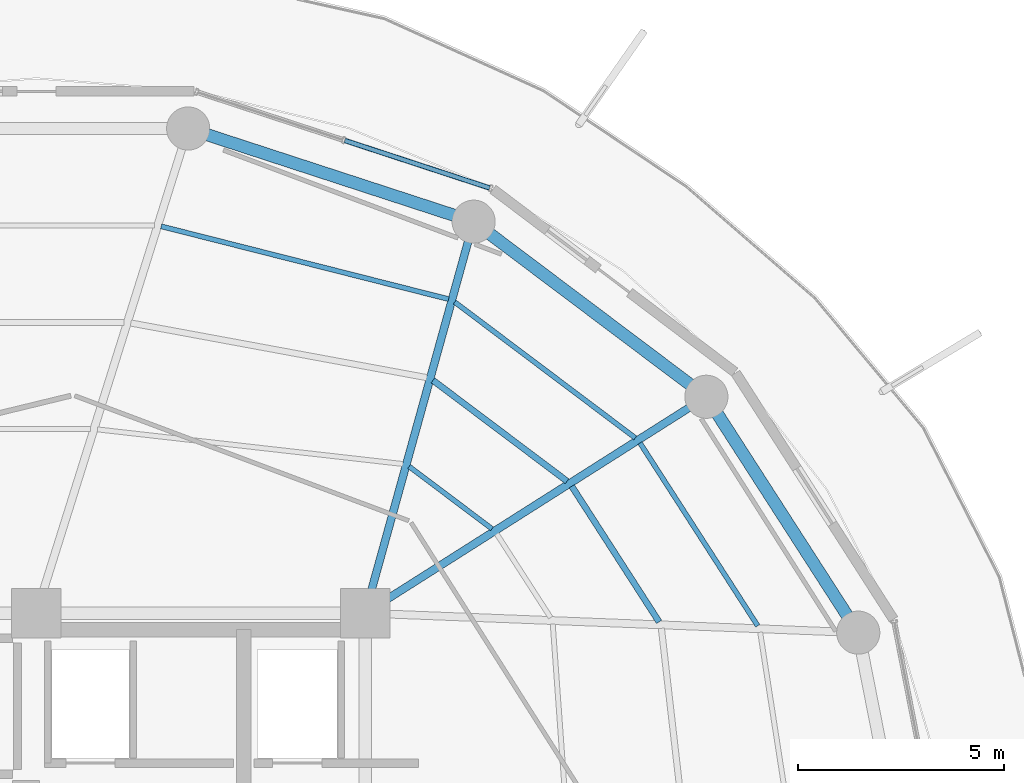
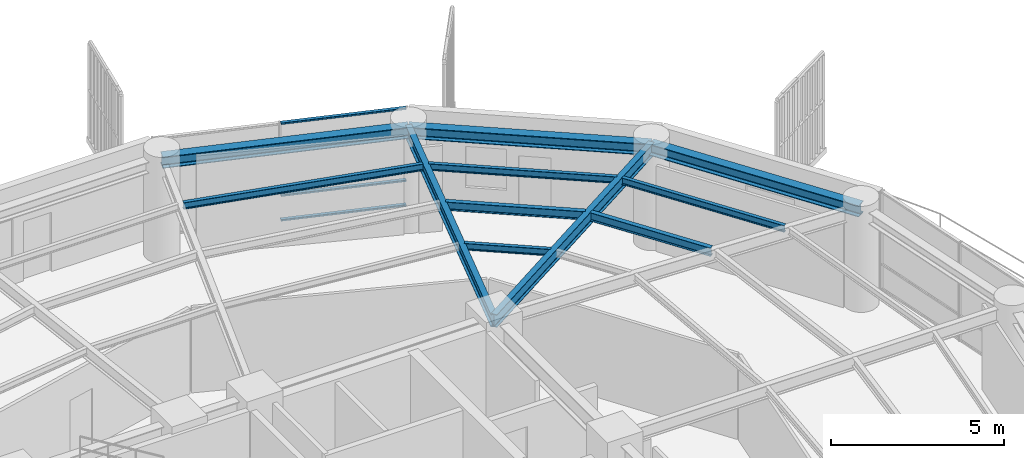
# One storey, part 20 of 30: 11 beams, 3 members, 1 element without a shape of its own.
"""IFC4 building model written with IfcOpenShell, lengths in metres."""

from ifc_helpers import new_model, si_unit, direction, frame, origin, origin_2d, place, context, subcontext, project, spatial, hollow_rectangle, i_section, extrude, material, layer, layer_set, material_profile, profile_set, type_object, element, aggregate, save


model = new_model("IFC4")

# Units and contexts
model_context = context("Model", 3, precision=1e-05, world=origin(), true_north=direction((0.0, 1.0)))
body_context = subcontext(model_context, "Body", "Model", "MODEL_VIEW")
ifc_project = project(units=[si_unit("LENGTHUNIT", "METRE"), si_unit("AREAUNIT", "SQUARE_METRE"), si_unit("VOLUMEUNIT", "CUBIC_METRE"), si_unit("PLANEANGLEUNIT", "RADIAN"), si_unit("MASSUNIT", "GRAM", prefix="KILO")], contexts=[model_context])

# Site, building, storey
site_placement = place(None, origin())
site = spatial("IfcSite", under=ifc_project, at=site_placement, CompositionType="ELEMENT")
building_placement = place(site_placement, origin())
building = spatial("IfcBuilding", under=site, at=building_placement, Name="Kelanora Arch Commons", CompositionType="ELEMENT")
storey_placement = place(building_placement, frame((0.0, 0.0, 215.699951171875)))
storey = spatial("IfcBuildingStorey", under=building, at=storey_placement, Name="L55", CompositionType="ELEMENT", Elevation=215.699951171875)

# Beams
ifc_material_1 = material(Name="Steel S355", Category="steel")
ifc_material_profile_1 = material_profile(ifc_material_1, i_section(OverallWidth=0.14990234375, OverallDepth=0.300048828125, WebThickness=0.007080078125, FlangeThickness=0.0107421875, FilletRadius=0.014892578125, at=origin_2d()), Name="IPE300")
ifc_profile_set_1 = profile_set([ifc_material_profile_1], Name="Steel S355")
beam_type_1 = type_object("IfcBeamType", Name="BM-JST-01", PredefinedType="JOIST", material=ifc_profile_set_1)
beam_1_placement = place(storey_placement, frame((89.152099609375, 64.786865234375, 3.340087890625), z_axis=(-0.541411265892, 0.840757896879, 0.0), x_axis=(-0.840757896879, -0.541411265892, 0.0)))
element("IfcBeam", 1, at=beam_1_placement, inside=storey, type_object=beam_type_1, Name="Secondary Chord Joist BJB-02 L55", PredefinedType="JOIST", context=body_context, shape_type="SweptSolid", body=[
    extrude(i_section(OverallWidth=0.14990234375, OverallDepth=0.300048828125, WebThickness=0.007080078125, FlangeThickness=0.0107421875, FilletRadius=0.014892578125, at=origin_2d()), origin(), (0.0, 0.0, 1.0), 3.92529296875),
])
beam_2_placement = place(storey_placement, frame((86.912841796875, 68.209716796875, 3.340087890625), z_axis=(-0.799101708656, 0.601195857624, 0.0), x_axis=(-0.601195857624, -0.799101708656, 0.0)))
element("IfcBeam", 2, at=beam_2_placement, inside=storey, type_object=beam_type_1, Name="Secondary Chord Joist BJB-04 L55", PredefinedType="JOIST", context=body_context, shape_type="SweptSolid", body=[
    extrude(i_section(OverallWidth=0.14990234375, OverallDepth=0.300048828125, WebThickness=0.007080078125, FlangeThickness=0.0107421875, FilletRadius=0.014892578125, at=origin_2d()), origin(), (0.0, 0.0, 1.0), 4.080810546875),
])
ifc_material_profile_2 = material_profile(ifc_material_1, i_section(OverallWidth=0.1201171875, OverallDepth=0.239990234375, WebThickness=0.006103515625, FlangeThickness=0.009765625, FilletRadius=0.014892578125, at=origin_2d()), Name="IPE240")
ifc_profile_set_2 = profile_set([ifc_material_profile_2], Name="Steel S355")
beam_type_2 = type_object("IfcBeamType", Name="BM-JST-02", PredefinedType="JOIST", material=ifc_profile_set_2)
beam_3_placement = place(storey_placement, frame((91.55126953125, 64.69189453125, 3.3701171875), z_axis=(-0.541382492679, 0.840776424872, 0.0), x_axis=(-0.840776424872, -0.541382492679, 0.0)))
element("IfcBeam", 3, at=beam_3_placement, inside=storey, type_object=beam_type_2, Name="Secondary Chord Joist BJC-02 L55", PredefinedType="JOIST", context=body_context, shape_type="SweptSolid", body=[
    extrude(i_section(OverallWidth=0.1201171875, OverallDepth=0.239990234375, WebThickness=0.006103515625, FlangeThickness=0.009765625, FilletRadius=0.014892578125, at=origin_2d()), origin(), (0.0, 0.0, 1.0), 5.29052734375),
])
beam_4_placement = place(storey_placement, frame((85.086669921875, 67.051513671875, 3.3701171875), z_axis=(-0.79911638933, 0.601176343766, 0.0), x_axis=(-0.601176343766, -0.79911638933, 0.0)))
element("IfcBeam", 4, at=beam_4_placement, inside=storey, type_object=beam_type_2, Name="Secondary Chord Joist BJA-04 L55", PredefinedType="JOIST", context=body_context, shape_type="SweptSolid", body=[
    extrude(i_section(OverallWidth=0.1201171875, OverallDepth=0.239990234375, WebThickness=0.006103515625, FlangeThickness=0.009765625, FilletRadius=0.014892578125, at=origin_2d()), origin(), (0.0, 0.0, 1.0), 2.522216796875),
])
beam_5_placement = place(storey_placement, frame((88.5732421875, 69.2626953125, 3.3701171875), z_axis=(-0.799109197935, 0.601185902842, 0.0), x_axis=(-0.601185902842, -0.799109197935, 0.0)))
element("IfcBeam", 5, at=beam_5_placement, inside=storey, type_object=beam_type_2, Name="Secondary Chord Joist BJC-04 L55", PredefinedType="JOIST", context=body_context, shape_type="SweptSolid", body=[
    extrude(i_section(OverallWidth=0.1201171875, OverallDepth=0.239990234375, WebThickness=0.006103515625, FlangeThickness=0.009765625, FilletRadius=0.014892578125, at=origin_2d()), origin(), (0.0, 0.0, 1.0), 5.497802734375),
])
beam_6_placement = place(storey_placement, frame((84.029541015625, 72.639892578125, 3.3701171875), z_axis=(-0.969370989998, 0.245601066263, 0.0), x_axis=(-0.245601066263, -0.969370989998, 0.0)))
element("IfcBeam", 6, at=beam_6_placement, inside=storey, type_object=beam_type_2, Name="Secondary Chord Joist BJC-06 L55", PredefinedType="JOIST", context=body_context, shape_type="SweptSolid", body=[
    extrude(i_section(OverallWidth=0.1201171875, OverallDepth=0.239990234375, WebThickness=0.006103515625, FlangeThickness=0.009765625, FilletRadius=0.014892578125, at=origin_2d()), origin(), (0.0, 0.0, 1.0), 7.2119140625),
])
ifc_material_profile_3 = material_profile(ifc_material_1, i_section(OverallWidth=0.18994140625, OverallDepth=0.449951171875, WebThickness=0.009521484375, FlangeThickness=0.0146484375, FilletRadius=0.02099609375, at=origin_2d()), Name="IPE450")
ifc_profile_set_3 = profile_set([ifc_material_profile_3], Name="Steel S355")
beam_type_3 = type_object("IfcBeamType", Name="BM-RAD-Z4", PredefinedType="BEAM", material=ifc_profile_set_3)
beam_7_placement = place(storey_placement, frame((82.0, 65.0, 3.26513671875), z_axis=(0.844507208607, 0.535544185489, 0.0), x_axis=(-0.535544185489, 0.844507208607, 0.0)))
element("IfcBeam", 7, at=beam_7_placement, inside=storey, type_object=beam_type_3, Name="Radial Floor Girder BR-04 L55", PredefinedType="BEAM", context=body_context, shape_type="SweptSolid", body=[
    extrude(i_section(OverallWidth=0.18994140625, OverallDepth=0.449951171875, WebThickness=0.009521484375, FlangeThickness=0.0146484375, FilletRadius=0.02099609375, at=origin_2d()), origin(), (0.0, 0.0, 1.0), 9.830078125),
])
beam_8_placement = place(storey_placement, frame((82.0, 65.0, 3.26513671875), z_axis=(0.267120164296, 0.963663228429, 0.0), x_axis=(-0.963663228429, 0.267120164296, 0.0)))
element("IfcBeam", 8, at=beam_8_placement, inside=storey, type_object=beam_type_3, Name="Radial Floor Girder BR-06 L55", PredefinedType="BEAM", context=body_context, shape_type="SweptSolid", body=[
    extrude(i_section(OverallWidth=0.18994140625, OverallDepth=0.449951171875, WebThickness=0.009521484375, FlangeThickness=0.0146484375, FilletRadius=0.02099609375, at=origin_2d()), origin(), (0.0, 0.0, 1.0), 9.8828125),
])
ifc_material_profile_4 = material_profile(ifc_material_1, i_section(OverallWidth=0.300048828125, OverallDepth=0.39990234375, WebThickness=0.013427734375, FlangeThickness=0.02392578125, FilletRadius=0.027099609375, at=origin_2d()), Name="HEB400")
ifc_profile_set_4 = profile_set([ifc_material_profile_4], Name="Steel S355")
beam_type_4 = type_object("IfcBeamType", Name="BM-SPN-Z4", PredefinedType="SPANDREL", material=ifc_profile_set_4)
beam_9_placement = place(storey_placement, frame((93.99658203125, 64.525634765625, 3.2900390625), z_axis=(-0.541364878868, 0.840787766281, 0.0), x_axis=(-0.840787766281, -0.541364878868, 0.0)))
element("IfcBeam", 9, at=beam_9_placement, inside=storey, type_object=beam_type_4, Name="Perimeter Spandrel Beam BS-02 L55", PredefinedType="SPANDREL", context=body_context, shape_type="SweptSolid", body=[
    extrude(i_section(OverallWidth=0.300048828125, OverallDepth=0.39990234375, WebThickness=0.013427734375, FlangeThickness=0.02392578125, FilletRadius=0.027099609375, at=origin_2d()), origin(), (0.0, 0.0, 1.0), 6.825439453125),
])
beam_10_placement = place(storey_placement, frame((90.301513671875, 70.264404296875, 3.2900390625), z_axis=(-0.799114211715, 0.60117923836, 0.0), x_axis=(-0.60117923836, -0.799114211715, 0.0)))
element("IfcBeam", 10, at=beam_10_placement, inside=storey, type_object=beam_type_4, Name="Perimeter Spandrel Beam BS-04 L55", PredefinedType="SPANDREL", context=body_context, shape_type="SweptSolid", body=[
    extrude(i_section(OverallWidth=0.300048828125, OverallDepth=0.39990234375, WebThickness=0.013427734375, FlangeThickness=0.02392578125, FilletRadius=0.027099609375, at=origin_2d()), origin(), (0.0, 0.0, 1.0), 7.0849609375),
])
beam_11_placement = place(storey_placement, frame((84.639892578125, 74.523681640625, 3.2900390625), z_axis=(-0.950656361143, 0.310245842872, 0.0), x_axis=(-0.310245842872, -0.950656361143, 0.0)))
element("IfcBeam", 11, at=beam_11_placement, inside=storey, type_object=beam_type_4, Name="Perimeter Spandrel Beam BS-06 L55", PredefinedType="SPANDREL", context=body_context, shape_type="SweptSolid", body=[
    extrude(i_section(OverallWidth=0.300048828125, OverallDepth=0.39990234375, WebThickness=0.013427734375, FlangeThickness=0.02392578125, FilletRadius=0.027099609375, at=origin_2d()), origin(), (0.0, 0.0, 1.0), 7.304931640625),
])

# Curtain wall, members
ifc_material_2 = material(Name="Terracotta ceramic-fritted low-E glass and aluminium", Category="masonry")
ifc_layer = layer(ifc_material_2, 0.175048828125)
ifc_layer_set = layer_set([ifc_layer], Name="Terracotta ceramic-fritted low-E glass and aluminium")
curtain_wall_type = type_object("IfcCurtainWallType", Name="CW-SYS-02", PredefinedType="NOTDEFINED", material=ifc_layer_set)
curtain_wall_placement = place(storey_placement, origin())
curtain_wall = element("IfcCurtainWall", 12, at=curtain_wall_placement, inside=storey, type_object=curtain_wall_type, Name="Unitised Curtain Wall L55-B03", PredefinedType="NOTDEFINED")
ifc_material_3 = material(Name="Powder-coated aluminium terracotta", Category="masonry")
ifc_material_profile_5 = material_profile(ifc_material_3, hollow_rectangle(XDim=0.1201171875, YDim=0.06005859375, WallThickness=0.0048828125, InnerFilletRadius=0.0048828125, OuterFilletRadius=0.010009765625, at=origin_2d()), Name="CWT120x60")
ifc_profile_set_5 = profile_set([ifc_material_profile_5], Name="Powder-coated aluminium terracotta")
member_type = type_object("IfcMemberType", Name="CWT-STD", PredefinedType="USERDEFINED", material=ifc_profile_set_5)
member_1_placement = place(storey_placement, frame((85.02880859375, 75.343994140625, 0.030029296875), z_axis=(-0.950226025222, 0.311561392011, 0.0), x_axis=(-0.311561392011, -0.950226025222, 0.0)))
member_1 = element("IfcMember", 13, at=member_1_placement, type_object=member_type, Name="CW-02 transom 1.1", ObjectType="TRANSOM", PredefinedType="USERDEFINED", context=body_context, shape_type="SweptSolid", body=[
    extrude(hollow_rectangle(XDim=0.1201171875, YDim=0.06005859375, WallThickness=0.0048828125, InnerFilletRadius=0.0048828125, OuterFilletRadius=0.010009765625, at=origin_2d()), origin(), (0.0, 0.0, 1.0), 3.707275390625),
])
member_2_placement = place(storey_placement, frame((85.02880859375, 75.343994140625, 0.900146484375), z_axis=(-0.950226025222, 0.311561392011, 0.0), x_axis=(-0.311561392011, -0.950226025222, 0.0)))
member_2 = element("IfcMember", 14, at=member_2_placement, type_object=member_type, Name="CW-02 transom 1.2", ObjectType="TRANSOM", PredefinedType="USERDEFINED", context=body_context, shape_type="SweptSolid", body=[
    extrude(hollow_rectangle(XDim=0.1201171875, YDim=0.06005859375, WallThickness=0.0048828125, InnerFilletRadius=0.0048828125, OuterFilletRadius=0.010009765625, at=origin_2d()), origin(), (0.0, 0.0, 1.0), 3.707275390625),
])
member_3_placement = place(storey_placement, frame((85.02880859375, 75.343994140625, 3.445068359375), z_axis=(-0.950226025222, 0.311561392011, 0.0), x_axis=(-0.311561392011, -0.950226025222, 0.0)))
member_3 = element("IfcMember", 15, at=member_3_placement, type_object=member_type, Name="CW-02 transom 1.3", ObjectType="TRANSOM", PredefinedType="USERDEFINED", context=body_context, shape_type="SweptSolid", body=[
    extrude(hollow_rectangle(XDim=0.1201171875, YDim=0.06005859375, WallThickness=0.0048828125, InnerFilletRadius=0.0048828125, OuterFilletRadius=0.010009765625, at=origin_2d()), origin(), (0.0, 0.0, 1.0), 3.707275390625),
])
aggregate(curtain_wall, [member_1, member_2, member_3])

save(model, "model.ifc")
